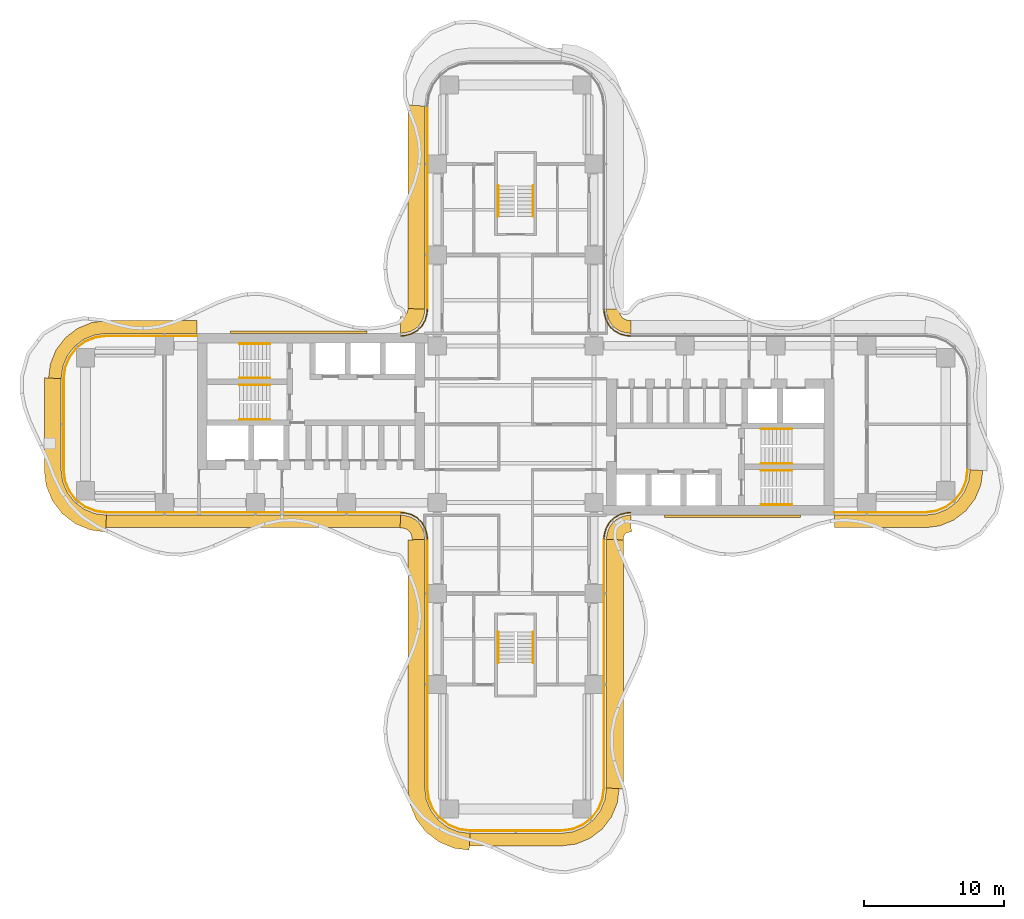
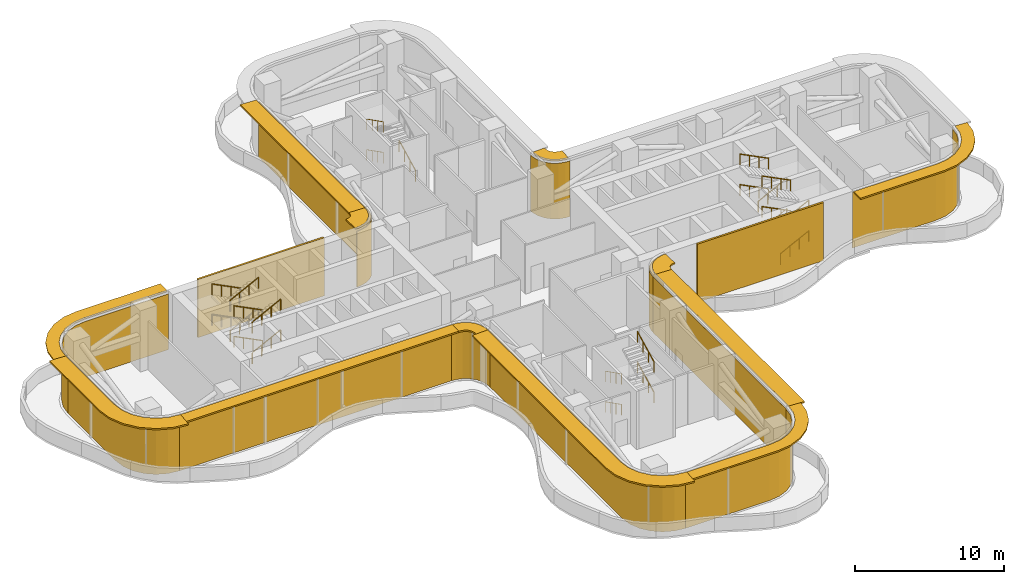
# One storey, part 19 of 20: 23 railings, 14 coverings, 12 shading devices, 12 elements without a shape of their own.
"""IFC4 building model written with IfcOpenShell, lengths in metres."""

import ifcopenshell
import ifcopenshell.guid

model = None  # the IFC model being written
_history = None  # IfcOwnerHistory: only IFC2X3 demands one
_inside = {}  # id of a spatial element -> (the spatial element, [elements in it])
_under = {}  # id of a project, library or spatial element -> (it, [spatial elements below it])
_declared = {}  # id of a project -> (the project, [libraries it declares])
_typed = {}  # id of a type object -> (the type object, [elements of that type])
_made_of = {}  # id of a material, layer set ... -> (it, [elements and type objects made of it])


def new_model(schema):
    """Start an empty IFC model of exactly this schema.

    Asked for "IFC4X3", IfcOpenShell would pick the latest addendum, in which some entities
    have other attributes; the version numbers below select the first issue.
    IFC2X3 requires an IfcOwnerHistory on every rooted entity: one is made here for all.
    """
    global model, _history
    if schema == "IFC4X3":
        model = ifcopenshell.file(schema_version=(4, 3, 0, 0))
    else:
        model = ifcopenshell.file(schema=schema)
    _inside.clear()
    _under.clear()
    _declared.clear()
    _typed.clear()
    _made_of.clear()
    _history = None
    if model.schema == "IFC2X3":
        org = make("IfcOrganization", Name="unknown")
        user = make(
            "IfcPersonAndOrganization",
            ThePerson=make("IfcPerson", FamilyName="unknown"),
            TheOrganization=org,
        )
        app = make(
            "IfcApplication",
            ApplicationDeveloper=org,
            Version="unknown",
            ApplicationFullName="unknown",
            ApplicationIdentifier="unknown",
        )
        _history = make(
            "IfcOwnerHistory",
            OwningUser=user,
            OwningApplication=app,
            ChangeAction="ADDED",
            CreationDate=0,
        )
    return model


def make(cls, **values):
    """One entity of the class cls with the attributes given. An attribute that is None is left unset."""
    return model.create_entity(
        cls, **{name: value for name, value in values.items() if value is not None}
    )


def rooted(cls, **values):
    """An entity with a GlobalId (a new one), such as an element, a storey or a relation."""
    return make(cls, GlobalId=ifcopenshell.guid.new(), OwnerHistory=_history, **values)


def si_unit(unit_type, name, prefix=None):
    """IfcSIUnit, for example si_unit("LENGTHUNIT", "METRE", prefix="MILLI")."""
    return make("IfcSIUnit", UnitType=unit_type, Prefix=prefix, Name=name)


def assignment(units):
    """IfcUnitAssignment: the units of a project."""
    return None if units is None else make("IfcUnitAssignment", Units=units)


def point(xyz):
    """IfcCartesianPoint."""
    return None if xyz is None else make("IfcCartesianPoint", Coordinates=xyz)


def direction(xyz):
    """IfcDirection."""
    return None if xyz is None else make("IfcDirection", DirectionRatios=xyz)


def frame(location, z_axis=None, x_axis=None):
    """IfcAxis2Placement3D, a coordinate frame: its origin and axes. An axis left out is left unset."""
    return make(
        "IfcAxis2Placement3D",
        Location=point(location),
        Axis=direction(z_axis),
        RefDirection=direction(x_axis),
    )


def frame_2d(location, x_axis=None):
    """IfcAxis2Placement2D, a coordinate frame in the plane: its origin and x axis."""
    return make(
        "IfcAxis2Placement2D", Location=point(location), RefDirection=direction(x_axis)
    )


def origin():
    """The frame at (0, 0, 0) with its axes left unset."""
    return frame((0.0, 0.0, 0.0))


def origin_2d():
    """The frame at (0, 0) in the plane with its x axis left unset."""
    return frame_2d((0.0, 0.0))


def place(relative_to, where):
    """IfcLocalPlacement: puts the frame where relative to a parent placement (None: the world)."""
    return make(
        "IfcLocalPlacement", PlacementRelTo=relative_to, RelativePlacement=where
    )


def context(
    kind, dimensions, precision=None, world=None, true_north=None, identifier=None
):
    """IfcGeometricRepresentationContext, for example the 3D "Model" context."""
    return make(
        "IfcGeometricRepresentationContext",
        ContextIdentifier=identifier,
        ContextType=kind,
        CoordinateSpaceDimension=dimensions,
        Precision=precision,
        WorldCoordinateSystem=world,
        TrueNorth=true_north,
    )


def subcontext(parent, identifier, kind, view, scale=None):
    """IfcGeometricRepresentationSubContext, for example "Body" below "Model"."""
    return make(
        "IfcGeometricRepresentationSubContext",
        ContextIdentifier=identifier,
        ContextType=kind,
        ParentContext=parent,
        TargetScale=scale,
        TargetView=view,
    )


def project(units=None, contexts=None):
    """IfcProject with its units and contexts."""
    return rooted(
        "IfcProject",
        Name="project",
        RepresentationContexts=contexts,
        UnitsInContext=assignment(units),
    )


def spatial(cls, under=None, at=None, **own):
    """A site, building, storey or space (cls), placed at a placement, below another one or the project."""
    s = rooted(cls, ObjectPlacement=at, **own)
    if under is not None:
        _under.setdefault(under.id(), (under, []))[1].append(s)
    return s


def polyline(points):
    """IfcPolyline through the points."""
    return make("IfcPolyline", Points=[point(p) for p in points])


def profile(cls, at=None, kind="AREA", **sizes):
    """A parametric profile (cls). Its sizes go by their IFC names, for example OverallWidth=200.0."""
    return make(cls, ProfileType=kind, Position=at, **sizes)


def circle(**sizes):
    """IfcCircleProfileDef."""
    return profile("IfcCircleProfileDef", **sizes)


def outline(outer, holes=None, kind="AREA"):
    """IfcArbitraryClosedProfileDef: a profile drawn as a closed curve; with holes, ...WithVoids."""
    if holes is None:
        return make("IfcArbitraryClosedProfileDef", ProfileType=kind, OuterCurve=outer)
    return make(
        "IfcArbitraryProfileDefWithVoids",
        ProfileType=kind,
        OuterCurve=outer,
        InnerCurves=holes,
    )


def extrude(swept, where, along, depth):
    """IfcExtrudedAreaSolid: the profile swept, set in the frame where, extruded along a direction by depth."""
    return make(
        "IfcExtrudedAreaSolid",
        SweptArea=swept,
        Position=where,
        ExtrudedDirection=direction(along),
        Depth=depth,
    )


def shape(context_of_items, identifier, shape_type, items):
    """IfcShapeRepresentation: the items that make up one representation, for example the "Body"."""
    return make(
        "IfcShapeRepresentation",
        ContextOfItems=context_of_items,
        RepresentationIdentifier=identifier,
        RepresentationType=shape_type,
        Items=items,
    )


def source(mapping_origin, context_of_items, identifier, shape_type, items):
    """IfcRepresentationMap: a shape defined once, which mapped items show again and again."""
    return make(
        "IfcRepresentationMap",
        MappingOrigin=mapping_origin,
        MappedRepresentation=shape(context_of_items, identifier, shape_type, items),
    )


def transform(
    local_origin,
    x_axis=None,
    y_axis=None,
    z_axis=None,
    scale=None,
    scale2=None,
    scale3=None,
    uniform=True,
):
    """IfcCartesianTransformationOperator3D, or its non-uniform kind. x_axis, y_axis, z_axis: its Axis1, 2, 3."""
    if uniform:
        return make(
            "IfcCartesianTransformationOperator3D",
            Axis1=direction(x_axis),
            Axis2=direction(y_axis),
            LocalOrigin=point(local_origin),
            Scale=scale,
            Axis3=direction(z_axis),
        )
    return make(
        "IfcCartesianTransformationOperator3DnonUniform",
        Axis1=direction(x_axis),
        Axis2=direction(y_axis),
        LocalOrigin=point(local_origin),
        Scale=scale,
        Axis3=direction(z_axis),
        Scale2=scale2,
        Scale3=scale3,
    )


def mapped(mapping_source, mapping_target):
    """IfcMappedItem: shows the shape of a source again, moved by a transform."""
    return make(
        "IfcMappedItem", MappingSource=mapping_source, MappingTarget=mapping_target
    )


def material(Name=None, Category=None):
    """IfcMaterial."""
    return make("IfcMaterial", Name=Name, Category=Category)


def layer(
    of_material, thickness, ventilated=None, Name=None, Category=None, Priority=None
):
    """IfcMaterialLayer: one layer of a wall or slab, of a material (None: an air gap)."""
    return make(
        "IfcMaterialLayer",
        Material=of_material,
        LayerThickness=thickness,
        IsVentilated=ventilated,
        Name=Name,
        Category=Category,
        Priority=Priority,
    )


def layer_set(layers, Name=None):
    """IfcMaterialLayerSet."""
    return make("IfcMaterialLayerSet", MaterialLayers=layers, LayerSetName=Name)


def made_of(thing, what):
    """Note that an element or type object is made of a material, layer set ...; save() writes the relation."""
    if what is not None:
        _made_of.setdefault(what.id(), (what, []))[1].append(thing)
    return thing


def type_object(cls, material=None, **own):
    """A type object (cls), such as IfcWallType, which elements share."""
    return made_of(rooted(cls, **own), material)


def element(
    cls,
    number,
    at=None,
    inside=None,
    cuts=None,
    type_object=None,
    material=None,
    context=None,
    identifier="Body",
    shape_type=None,
    held_by="IfcProductDefinitionShape",
    body=None,
    shapes=None,
    **own,
):
    """One element of the class cls, such as IfcWall. Its Tag is "e" and its number.

    at: its placement. inside: the storey or other place that contains it. cuts: it is an
    opening in that element (IfcRelVoidsElement). A single representation is given by context,
    identifier, shape_type and body (its items); several are given by shapes. held_by: the class
    of the entity that holds the representations. save() writes the other relations.
    """
    e = rooted(cls, Tag="e%d" % number, ObjectPlacement=at, **own)
    if body is not None:
        shapes = [shape(context, identifier, shape_type, body)]
    if shapes is not None:
        e.Representation = make(held_by, Representations=shapes)
    if inside is not None:
        _inside.setdefault(inside.id(), (inside, []))[1].append(e)
    if cuts is not None:
        rooted(
            "IfcRelVoidsElement", RelatingBuildingElement=cuts, RelatedOpeningElement=e
        )
    if type_object is not None:
        _typed.setdefault(type_object.id(), (type_object, []))[1].append(e)
    return made_of(e, material)


def aggregate(whole, parts):
    """IfcRelAggregates: a whole, such as a stair, and the parts it consists of."""
    return rooted("IfcRelAggregates", RelatingObject=whole, RelatedObjects=parts)


def save(model, path):
    """Write the relations noted so far, then the file.

    IfcRelAggregates (storeys below a building ...), IfcRelContainedInSpatialStructure (elements
    in a storey), IfcRelDefinesByType, IfcRelAssociatesMaterial and IfcRelDeclares: one each for
    every whole, place, type object, material and project.
    """
    for whole, parts in _under.values():
        aggregate(whole, parts)
    for where, things in _inside.values():
        rooted(
            "IfcRelContainedInSpatialStructure",
            RelatedElements=things,
            RelatingStructure=where,
        )
    for kind, things in _typed.values():
        rooted("IfcRelDefinesByType", RelatedObjects=things, RelatingType=kind)
    for what, things in _made_of.values():
        rooted("IfcRelAssociatesMaterial", RelatedObjects=things, RelatingMaterial=what)
    for by, libraries in _declared.values():
        rooted("IfcRelDeclares", RelatingContext=by, RelatedDefinitions=libraries)
    model.write(path)


model = new_model("IFC4")

# Units and contexts
model_context = context("Model", 3, precision=1e-05, world=origin(), true_north=direction((0.0, 1.0)))
body_context = subcontext(model_context, "Body", "Model", "MODEL_VIEW")
ifc_project = project(units=[si_unit("LENGTHUNIT", "METRE"), si_unit("AREAUNIT", "SQUARE_METRE"), si_unit("VOLUMEUNIT", "CUBIC_METRE"), si_unit("PLANEANGLEUNIT", "RADIAN"), si_unit("MASSUNIT", "GRAM", prefix="KILO")], contexts=[model_context])

# Site, building, storey
site_placement = place(None, origin())
site = spatial("IfcSite", under=ifc_project, at=site_placement, CompositionType="ELEMENT")
building_placement = place(site_placement, origin())
building = spatial("IfcBuilding", under=site, at=building_placement, Name="Trellis Farm Tower", CompositionType="ELEMENT")
storey_placement = place(building_placement, frame((0.0, 0.0, 92.5)))
storey = spatial("IfcBuildingStorey", under=building, at=storey_placement, Name="L19", CompositionType="ELEMENT", Elevation=92.5)

# Coverings
ifc_material_1 = material(Name="Perforated precast screen (cobogo)", Category="concrete")
ifc_layer_1 = layer(ifc_material_1, 0.14990234375)
ifc_layer_set_1 = layer_set([ifc_layer_1], Name="COBOGO SCREEN PANEL")
covering_type_1 = type_object("IfcCoveringType", Name="COBOGO SCREEN PANEL", PredefinedType="USERDEFINED", material=ifc_layer_set_1)
placement_1 = place(storey_placement, origin())
element("IfcCovering", 1, at=placement_1, inside=storey, type_object=covering_type_1, Name="SC1 01", ObjectType="SCREEN", PredefinedType="USERDEFINED", context=body_context, shape_type="SweptSolid", body=[
    extrude(outline(polyline([(10.630615234375, -6.64990234375), (20.380615234375, -6.64990234375), (20.380615234375, -6.5), (10.630615234375, -6.5), (10.630615234375, -6.64990234375)])), origin(), (0.0, 0.0, 1.0), 4.75),
])
element("IfcCovering", 2, at=placement_1, inside=storey, type_object=covering_type_1, Name="SC1 02", ObjectType="SCREEN", PredefinedType="USERDEFINED", context=body_context, shape_type="SweptSolid", body=[
    extrude(outline(polyline([(-10.630615234375, 6.64990234375), (-20.380615234375, 6.64990234375), (-20.380615234375, 6.5), (-10.630615234375, 6.5), (-10.630615234375, 6.64990234375)])), origin(), (0.0, 0.0, 1.0), 4.75),
])

# Curtain wall, covering
ifc_material_2 = material(Name="Aluminium and glass curtain wall", Category="aluminium")
ifc_layer_2 = layer(ifc_material_2, 0.196044921875)
ifc_layer_set_2 = layer_set([ifc_layer_2], Name="LOUVRED GLASS CURTAIN WALL CW6")
curtain_wall_type = type_object("IfcCurtainWallType", Name="LOUVRED GLASS CURTAIN WALL CW6", PredefinedType="NOTDEFINED", material=ifc_layer_set_2)
curtain_wall_1 = element("IfcCurtainWall", 3, at=placement_1, inside=storey, type_object=curtain_wall_type, Name="CW6 001", PredefinedType="NOTDEFINED")
ifc_material_3 = material(Name="Anodised aluminium louvre", Category="aluminium")
ifc_layer_3 = layer(ifc_material_3, 0.050048828125)
ifc_layer_set_3 = layer_set([ifc_layer_3], Name="CW6 LOUVRE BANK 50")
covering_type_2 = type_object("IfcCoveringType", Name="CW6 LOUVRE BANK 50", PredefinedType="USERDEFINED", material=ifc_layer_set_3)
covering_3 = element("IfcCovering", 4, at=placement_1, type_object=covering_type_2, Name="LV1 001", ObjectType="LOUVRE", PredefinedType="USERDEFINED", context=body_context, shape_type="SweptSolid", body=[
    extrude(outline(polyline([(-29.239501953125, -6.340087890625), (-8.22607421875, -6.340087890625), (-8.224609375, -6.2900390625), (-29.236328125, -6.2900390625), (-29.239501953125, -6.340087890625)])), origin(), (0.0, 0.0, 1.0), 4.550048828125),
])
aggregate(curtain_wall_1, [covering_3])

curtain_wall_2 = element("IfcCurtainWall", 5, at=placement_1, inside=storey, type_object=curtain_wall_type, Name="CW6 002", PredefinedType="NOTDEFINED")
covering_4 = element("IfcCovering", 6, at=placement_1, type_object=covering_type_2, Name="LV1 002", ObjectType="LOUVRE", PredefinedType="USERDEFINED", context=body_context, shape_type="SweptSolid", body=[
    extrude(outline(polyline([(-8.22607421875, -6.340087890625), (-8.00390625, -6.3544921875), (-7.88427734375, -6.370361328125), (-7.44677734375, -6.487548828125), (-7.046142578125, -6.718994140625), (-6.718994140625, -7.046142578125), (-6.487548828125, -7.44677734375), (-6.370361328125, -7.88427734375), (-6.3544921875, -8.00390625), (-6.340087890625, -8.22607421875), (-6.2900390625, -8.224609375), (-6.3046875, -7.9990234375), (-6.321044921875, -7.87451171875), (-6.44091796875, -7.427490234375), (-6.678955078125, -7.015380859375), (-7.015380859375, -6.678955078125), (-7.427490234375, -6.44091796875), (-7.87451171875, -6.321044921875), (-7.9990234375, -6.3046875), (-8.224609375, -6.2900390625), (-8.22607421875, -6.340087890625)])), origin(), (0.0, 0.0, 1.0), 4.550048828125),
])
aggregate(curtain_wall_2, [covering_4])

curtain_wall_3 = element("IfcCurtainWall", 7, at=placement_1, inside=storey, type_object=curtain_wall_type, Name="CW6 003", PredefinedType="NOTDEFINED")
covering_5 = element("IfcCovering", 8, at=placement_1, type_object=covering_type_2, Name="LV1 003", ObjectType="LOUVRE", PredefinedType="USERDEFINED", context=body_context, shape_type="SweptSolid", body=[
    extrude(outline(polyline([(-6.340087890625, -8.22607421875), (-6.340087890625, -25.989501953125), (-6.2333984375, -26.79931640625), (-5.9248046875, -27.544189453125), (-5.43408203125, -28.18408203125), (-4.794189453125, -28.6748046875), (-4.04931640625, -28.9833984375), (-3.239501953125, -29.090087890625), (-3.236328125, -29.0400390625), (-4.036376953125, -28.9345703125), (-4.76904296875, -28.631103515625), (-5.3984375, -28.1484375), (-5.881103515625, -27.51904296875), (-6.1845703125, -26.786376953125), (-6.2900390625, -25.986328125), (-6.2900390625, -8.224609375), (-6.340087890625, -8.22607421875)])), origin(), (0.0, 0.0, 1.0), 4.550048828125),
])
aggregate(curtain_wall_3, [covering_5])

curtain_wall_4 = element("IfcCurtainWall", 9, at=placement_1, inside=storey, type_object=curtain_wall_type, Name="CW6 004", PredefinedType="NOTDEFINED")
covering_6 = element("IfcCovering", 10, at=placement_1, type_object=covering_type_2, Name="LV1 004", ObjectType="LOUVRE", PredefinedType="USERDEFINED", context=body_context, shape_type="SweptSolid", body=[
    extrude(outline(polyline([(-3.239501953125, -29.090087890625), (3.239501953125, -29.090087890625), (4.04931640625, -28.9833984375), (4.794189453125, -28.6748046875), (5.43408203125, -28.18408203125), (5.9248046875, -27.544189453125), (6.2333984375, -26.79931640625), (6.340087890625, -25.989501953125), (6.2900390625, -25.986328125), (6.1845703125, -26.786376953125), (5.881103515625, -27.51904296875), (5.3984375, -28.1484375), (4.76904296875, -28.631103515625), (4.036376953125, -28.9345703125), (3.236328125, -29.0400390625), (-3.236328125, -29.0400390625), (-3.239501953125, -29.090087890625)])), origin(), (0.0, 0.0, 1.0), 4.550048828125),
])
aggregate(curtain_wall_4, [covering_6])

curtain_wall_5 = element("IfcCurtainWall", 11, at=placement_1, inside=storey, type_object=curtain_wall_type, Name="CW6 005", PredefinedType="NOTDEFINED")
covering_7 = element("IfcCovering", 12, at=placement_1, type_object=covering_type_2, Name="LV1 005", ObjectType="LOUVRE", PredefinedType="USERDEFINED", context=body_context, shape_type="SweptSolid", body=[
    extrude(outline(polyline([(6.340087890625, -25.989501953125), (6.340087890625, -8.22607421875), (6.2900390625, -8.224609375), (6.2900390625, -25.986328125), (6.340087890625, -25.989501953125)])), origin(), (0.0, 0.0, 1.0), 4.550048828125),
])
aggregate(curtain_wall_5, [covering_7])

curtain_wall_6 = element("IfcCurtainWall", 13, at=placement_1, inside=storey, type_object=curtain_wall_type, Name="CW6 006", PredefinedType="NOTDEFINED")
covering_8 = element("IfcCovering", 14, at=placement_1, type_object=covering_type_2, Name="LV1 006", ObjectType="LOUVRE", PredefinedType="USERDEFINED", context=body_context, shape_type="SweptSolid", body=[
    extrude(outline(polyline([(6.340087890625, -8.22607421875), (6.3544921875, -8.00390625), (6.370361328125, -7.88427734375), (6.487548828125, -7.44677734375), (6.718994140625, -7.046142578125), (7.046142578125, -6.718994140625), (7.44677734375, -6.487548828125), (7.88427734375, -6.370361328125), (8.00390625, -6.3544921875), (8.22607421875, -6.340087890625), (8.224609375, -6.2900390625), (7.9990234375, -6.3046875), (7.87451171875, -6.321044921875), (7.427490234375, -6.44091796875), (7.015380859375, -6.678955078125), (6.678955078125, -7.015380859375), (6.44091796875, -7.427490234375), (6.321044921875, -7.87451171875), (6.3046875, -7.9990234375), (6.2900390625, -8.224609375), (6.340087890625, -8.22607421875)])), origin(), (0.0, 0.0, 1.0), 4.550048828125),
])
aggregate(curtain_wall_6, [covering_8])

curtain_wall_7 = element("IfcCurtainWall", 15, at=placement_1, inside=storey, type_object=curtain_wall_type, Name="CW6 007", PredefinedType="NOTDEFINED")
covering_9 = element("IfcCovering", 16, at=placement_1, type_object=covering_type_2, Name="LV1 007", ObjectType="LOUVRE", PredefinedType="USERDEFINED", context=body_context, shape_type="SweptSolid", body=[
    extrude(outline(polyline([(22.780029296875, -6.340087890625), (29.239501953125, -6.340087890625), (30.04931640625, -6.2333984375), (30.794189453125, -5.9248046875), (31.43408203125, -5.43408203125), (31.9248046875, -4.794189453125), (32.2333984375, -4.04931640625), (32.340087890625, -3.239501953125), (32.2900390625, -3.236328125), (32.1845703125, -4.036376953125), (31.881103515625, -4.76904296875), (31.3984375, -5.3984375), (30.76904296875, -5.881103515625), (30.036376953125, -6.1845703125), (29.236328125, -6.2900390625), (22.780029296875, -6.2900390625), (22.780029296875, -6.340087890625)])), origin(), (0.0, 0.0, 1.0), 4.550048828125),
])
aggregate(curtain_wall_7, [covering_9])

curtain_wall_8 = element("IfcCurtainWall", 17, at=placement_1, inside=storey, type_object=curtain_wall_type, Name="CW6 010", PredefinedType="NOTDEFINED")
covering_10 = element("IfcCovering", 18, at=placement_1, type_object=covering_type_2, Name="LV1 010", ObjectType="LOUVRE", PredefinedType="USERDEFINED", context=body_context, shape_type="SweptSolid", body=[
    extrude(outline(polyline([(8.22607421875, 6.340087890625), (8.00390625, 6.3544921875), (7.88427734375, 6.370361328125), (7.44677734375, 6.487548828125), (7.046142578125, 6.718994140625), (6.718994140625, 7.046142578125), (6.487548828125, 7.44677734375), (6.370361328125, 7.88427734375), (6.3544921875, 8.00390625), (6.340087890625, 8.22607421875), (6.2900390625, 8.224609375), (6.3046875, 7.9990234375), (6.321044921875, 7.87451171875), (6.44091796875, 7.427490234375), (6.678955078125, 7.015380859375), (7.015380859375, 6.678955078125), (7.427490234375, 6.44091796875), (7.87451171875, 6.321044921875), (7.9990234375, 6.3046875), (8.224609375, 6.2900390625), (8.22607421875, 6.340087890625)])), origin(), (0.0, 0.0, 1.0), 4.550048828125),
])
aggregate(curtain_wall_8, [covering_10])

curtain_wall_9 = element("IfcCurtainWall", 19, at=placement_1, inside=storey, type_object=curtain_wall_type, Name="CW6 013", PredefinedType="NOTDEFINED")
covering_11 = element("IfcCovering", 20, at=placement_1, type_object=covering_type_2, Name="LV1 013", ObjectType="LOUVRE", PredefinedType="USERDEFINED", context=body_context, shape_type="SweptSolid", body=[
    extrude(outline(polyline([(-6.340087890625, 22.739501953125), (-6.340087890625, 8.22607421875), (-6.2900390625, 8.224609375), (-6.2900390625, 22.736328125), (-6.340087890625, 22.739501953125)])), origin(), (0.0, 0.0, 1.0), 4.550048828125),
])
aggregate(curtain_wall_9, [covering_11])

curtain_wall_10 = element("IfcCurtainWall", 21, at=placement_1, inside=storey, type_object=curtain_wall_type, Name="CW6 014", PredefinedType="NOTDEFINED")
covering_12 = element("IfcCovering", 22, at=placement_1, type_object=covering_type_2, Name="LV1 014", ObjectType="LOUVRE", PredefinedType="USERDEFINED", context=body_context, shape_type="SweptSolid", body=[
    extrude(outline(polyline([(-6.340087890625, 8.22607421875), (-6.3544921875, 8.00390625), (-6.370361328125, 7.88427734375), (-6.487548828125, 7.44677734375), (-6.718994140625, 7.046142578125), (-7.046142578125, 6.718994140625), (-7.44677734375, 6.487548828125), (-7.88427734375, 6.370361328125), (-8.00390625, 6.3544921875), (-8.22607421875, 6.340087890625), (-8.224609375, 6.2900390625), (-7.9990234375, 6.3046875), (-7.87451171875, 6.321044921875), (-7.427490234375, 6.44091796875), (-7.015380859375, 6.678955078125), (-6.678955078125, 7.015380859375), (-6.44091796875, 7.427490234375), (-6.321044921875, 7.87451171875), (-6.3046875, 7.9990234375), (-6.2900390625, 8.224609375), (-6.340087890625, 8.22607421875)])), origin(), (0.0, 0.0, 1.0), 4.550048828125),
])
aggregate(curtain_wall_10, [covering_12])

curtain_wall_11 = element("IfcCurtainWall", 23, at=placement_1, inside=storey, type_object=curtain_wall_type, Name="CW6 015", PredefinedType="NOTDEFINED")
covering_13 = element("IfcCovering", 24, at=placement_1, type_object=covering_type_2, Name="LV1 015", ObjectType="LOUVRE", PredefinedType="USERDEFINED", context=body_context, shape_type="SweptSolid", body=[
    extrude(outline(polyline([(-22.780029296875, 6.340087890625), (-29.239501953125, 6.340087890625), (-30.04931640625, 6.2333984375), (-30.794189453125, 5.9248046875), (-31.43408203125, 5.43408203125), (-31.9248046875, 4.794189453125), (-32.2333984375, 4.04931640625), (-32.340087890625, 3.239501953125), (-32.2900390625, 3.236328125), (-32.1845703125, 4.036376953125), (-31.881103515625, 4.76904296875), (-31.3984375, 5.3984375), (-30.76904296875, 5.881103515625), (-30.036376953125, 6.1845703125), (-29.236328125, 6.2900390625), (-22.780029296875, 6.2900390625), (-22.780029296875, 6.340087890625)])), origin(), (0.0, 0.0, 1.0), 4.550048828125),
])
aggregate(curtain_wall_11, [covering_13])

curtain_wall_12 = element("IfcCurtainWall", 25, at=placement_1, inside=storey, type_object=curtain_wall_type, Name="CW6 016", PredefinedType="NOTDEFINED")
covering_14 = element("IfcCovering", 26, at=placement_1, type_object=covering_type_2, Name="LV1 016", ObjectType="LOUVRE", PredefinedType="USERDEFINED", context=body_context, shape_type="SweptSolid", body=[
    extrude(outline(polyline([(-32.340087890625, 3.239501953125), (-32.340087890625, -3.239501953125), (-32.2333984375, -4.04931640625), (-31.9248046875, -4.794189453125), (-31.43408203125, -5.43408203125), (-30.794189453125, -5.9248046875), (-30.04931640625, -6.2333984375), (-29.239501953125, -6.340087890625), (-29.236328125, -6.2900390625), (-30.036376953125, -6.1845703125), (-30.76904296875, -5.881103515625), (-31.3984375, -5.3984375), (-31.881103515625, -4.76904296875), (-32.1845703125, -4.036376953125), (-32.2900390625, -3.236328125), (-32.2900390625, 3.236328125), (-32.340087890625, 3.239501953125)])), origin(), (0.0, 0.0, 1.0), 4.550048828125),
])
aggregate(curtain_wall_12, [covering_14])

# Railings
ifc_material_4 = material(Name="Stainless steel", Category="steel")
railing_type = type_object("IfcRailingType", Name="STAIR HANDRAIL 900", PredefinedType="HANDRAIL", material=ifc_material_4)
shared_shape_1 = source(origin(), body_context, "Body", "SweptSolid", [
    extrude(circle(Radius=0.02392578125, at=origin_2d()), frame((0.0, 0.0, 0.8759765625), z_axis=(0.0, 0.892617056473, 0.450815694596), x_axis=(-1.0, 0.0, 0.0)), (0.0, 0.0, 1.0), 2.464599609375),
    extrude(circle(Radius=0.02099609375, at=origin_2d()), origin(), (0.0, 0.0, 1.0), 0.851806640625),
    extrude(circle(Radius=0.02099609375, at=origin_2d()), frame((0.0, 0.7333984375, 0.370361328125)), (0.0, 0.0, 1.0), 0.851806640625),
    extrude(circle(Radius=0.02099609375, at=origin_2d()), frame((0.0, 1.466552734375, 0.74072265625)), (0.0, 0.0, 1.0), 0.851806640625),
    extrude(circle(Radius=0.02099609375, at=origin_2d()), frame((0.0, 2.199951171875, 1.111083984375)), (0.0, 0.0, 1.0), 0.851806640625),
])
for number, where, name in (
    (27, (1.25, 14.85009765625, 0.138916015625), "Stair handrail"),
    (28, (1.25, -17.050048828125, 1.388916015625), "Stair handrail"),
    (29, (1.25, -17.050048828125, 3.888916015625), "Stair handrail"),
):
    element("IfcRailing", number, at=place(storey_placement, frame(where)), inside=storey, type_object=railing_type, Name=name, PredefinedType="HANDRAIL", context=body_context, shape_type="MappedRepresentation", body=[
        mapped(shared_shape_1, transform((0.0, 0.0, 0.0))),
    ])
shared_shape_2 = source(origin(), body_context, "Body", "SweptSolid", [
    extrude(circle(Radius=0.02392578125, at=origin_2d()), frame((0.0, 0.0, 0.8759765625), z_axis=(0.0, -0.892617056473, 0.450815694596), x_axis=(1.0, 0.0, 0.0)), (0.0, 0.0, 1.0), 2.464599609375),
    extrude(circle(Radius=0.02099609375, at=origin_2d()), origin(), (0.0, 0.0, 1.0), 0.851806640625),
    extrude(circle(Radius=0.02099609375, at=origin_2d()), frame((0.0, -0.7333984375, 0.370361328125)), (0.0, 0.0, 1.0), 0.851806640625),
    extrude(circle(Radius=0.02099609375, at=origin_2d()), frame((0.0, -1.466552734375, 0.74072265625)), (0.0, 0.0, 1.0), 0.851806640625),
    extrude(circle(Radius=0.02099609375, at=origin_2d()), frame((0.0, -2.199951171875, 1.111083984375)), (0.0, 0.0, 1.0), 0.851806640625),
])
for number, where, name in (
    (30, (-1.25, 17.050048828125, 1.388916015625), "Stair handrail"),
    (31, (-1.25, 17.050048828125, 3.888916015625), "Stair handrail"),
    (32, (-1.25, -14.85009765625, 0.138916015625), "Stair handrail"),
    (33, (-1.25, -14.85009765625, 2.638916015625), "Stair handrail"),
):
    element("IfcRailing", number, at=place(storey_placement, frame(where)), inside=storey, type_object=railing_type, Name=name, PredefinedType="HANDRAIL", context=body_context, shape_type="MappedRepresentation", body=[
        mapped(shared_shape_2, transform((0.0, 0.0, 0.0))),
    ])
shared_shape_3 = source(origin(), body_context, "Body", "SweptSolid", [
    extrude(circle(Radius=0.02392578125, at=origin_2d()), frame((0.0, 0.0, 0.8759765625), z_axis=(0.892617056473, 0.0, 0.450815694596), x_axis=(0.0, 1.0, 0.0)), (0.0, 0.0, 1.0), 2.464599609375),
    extrude(circle(Radius=0.02099609375, at=origin_2d()), origin(), (0.0, 0.0, 1.0), 0.851806640625),
    extrude(circle(Radius=0.02099609375, at=origin_2d()), frame((0.7333984375, 0.0, 0.370361328125)), (0.0, 0.0, 1.0), 0.851806640625),
    extrude(circle(Radius=0.02099609375, at=origin_2d()), frame((1.466552734375, 0.0, 0.74072265625)), (0.0, 0.0, 1.0), 0.851806640625),
    extrude(circle(Radius=0.02099609375, at=origin_2d()), frame((2.199951171875, 0.0, 1.111083984375)), (0.0, 0.0, 1.0), 0.851806640625),
])
for number, where, name in (
    (34, (17.550048828125, -5.75, 0.138916015625), "Stair handrail"),
    (35, (17.550048828125, -5.75, 2.638916015625), "Stair handrail"),
    (36, (17.550048828125, -2.800048828125, 0.138916015625), "Stair handrail"),
    (37, (17.550048828125, -2.800048828125, 2.638916015625), "Stair handrail"),
    (38, (-19.75, 3.300048828125, 1.388916015625), "Stair handrail"),
    (39, (-19.75, 3.300048828125, 3.888916015625), "Stair handrail"),
    (40, (-19.75, 0.35009765625, 1.388916015625), "Stair handrail"),
    (41, (-19.75, 0.35009765625, 3.888916015625), "Stair handrail"),
):
    element("IfcRailing", number, at=place(storey_placement, frame(where)), inside=storey, type_object=railing_type, Name=name, PredefinedType="HANDRAIL", context=body_context, shape_type="MappedRepresentation", body=[
        mapped(shared_shape_3, transform((0.0, 0.0, 0.0))),
    ])
shared_shape_4 = source(origin(), body_context, "Body", "SweptSolid", [
    extrude(circle(Radius=0.02392578125, at=origin_2d()), frame((0.0, 0.0, 0.8759765625), z_axis=(-0.892617056473, 0.0, 0.450815694596), x_axis=(0.0, -1.0, 0.0)), (0.0, 0.0, 1.0), 2.464599609375),
    extrude(circle(Radius=0.02099609375, at=origin_2d()), origin(), (0.0, 0.0, 1.0), 0.851806640625),
    extrude(circle(Radius=0.02099609375, at=origin_2d()), frame((-0.7333984375, 0.0, 0.370361328125)), (0.0, 0.0, 1.0), 0.851806640625),
    extrude(circle(Radius=0.02099609375, at=origin_2d()), frame((-1.466552734375, 0.0, 0.74072265625)), (0.0, 0.0, 1.0), 0.851806640625),
    extrude(circle(Radius=0.02099609375, at=origin_2d()), frame((-2.199951171875, 0.0, 1.111083984375)), (0.0, 0.0, 1.0), 0.851806640625),
])
for number, where, name in (
    (42, (19.75, -3.300048828125, 1.388916015625), "Stair handrail"),
    (43, (19.75, -3.300048828125, 3.888916015625), "Stair handrail"),
    (44, (19.75, -0.35009765625, 1.388916015625), "Stair handrail"),
    (45, (19.75, -0.35009765625, 3.888916015625), "Stair handrail"),
    (46, (-17.550048828125, 5.75, 0.138916015625), "Stair handrail"),
    (47, (-17.550048828125, 5.75, 2.638916015625), "Stair handrail"),
    (48, (-17.550048828125, 2.800048828125, 0.138916015625), "Stair handrail"),
    (49, (-17.550048828125, 2.800048828125, 2.638916015625), "Stair handrail"),
):
    element("IfcRailing", number, at=place(storey_placement, frame(where)), inside=storey, type_object=railing_type, Name=name, PredefinedType="HANDRAIL", context=body_context, shape_type="MappedRepresentation", body=[
        mapped(shared_shape_4, transform((0.0, 0.0, 0.0))),
    ])

# Shading devices
ifc_material_5 = material(Name="Aluminium extrusion 6063-T6", Category="aluminium")
ifc_layer_4 = layer(ifc_material_5, 0.1201171875)
ifc_layer_set_4 = layer_set([ifc_layer_4], Name="SUNSHADE BLADE 900")
shading_device_type_1 = type_object("IfcShadingDeviceType", Name="SUNSHADE BLADE 900", PredefinedType="USERDEFINED", material=ifc_layer_set_4)
shared_shape_5 = source(origin(), body_context, "Body", "SweptSolid", [
    extrude(outline(polyline([(-29.30908203125, -7.39990234375), (-8.2607421875, -7.39990234375), (-8.2314453125, -6.5), (-29.25, -6.5), (-29.30908203125, -7.39990234375)])), origin(), (0.0, 0.0, 1.0), 0.119873046875),
])
placement_2 = place(storey_placement, frame((0.0, 0.0, 4.590087890625)))
element("IfcShadingDevice", 50, at=placement_2, inside=storey, type_object=shading_device_type_1, Name="SD1 001", ObjectType="SUNSHADE", PredefinedType="USERDEFINED", context=body_context, shape_type="MappedRepresentation", body=[
    mapped(shared_shape_5, transform((0.0, 0.0, 0.0))),
])
shared_shape_6 = source(origin(), body_context, "Body", "SweptSolid", [
    extrude(outline(polyline([(-8.2607421875, -7.39990234375), (-8.107666015625, -7.409912109375), (-8.091552734375, -7.412109375), (-7.85595703125, -7.475341796875), (-7.697021484375, -7.567138671875), (-7.567138671875, -7.697021484375), (-7.475341796875, -7.85595703125), (-7.412109375, -8.091552734375), (-7.409912109375, -8.107666015625), (-7.39990234375, -8.2607421875), (-6.5, -8.2314453125), (-6.513916015625, -8.01953125), (-6.527587890625, -7.91552734375), (-6.63671875, -7.508544921875), (-6.846923828125, -7.144287109375), (-7.144287109375, -6.846923828125), (-7.508544921875, -6.63671875), (-7.91552734375, -6.527587890625), (-8.01953125, -6.513916015625), (-8.2314453125, -6.5), (-8.2607421875, -7.39990234375)])), origin(), (0.0, 0.0, 1.0), 0.119873046875),
])
element("IfcShadingDevice", 51, at=placement_2, inside=storey, type_object=shading_device_type_1, Name="SD1 002", ObjectType="SUNSHADE", PredefinedType="USERDEFINED", context=body_context, shape_type="MappedRepresentation", body=[
    mapped(shared_shape_6, transform((0.0, 0.0, 0.0))),
])
ifc_layer_5 = layer(ifc_material_5, 0.1201171875)
ifc_layer_set_5 = layer_set([ifc_layer_5], Name="SUNSHADE BLADE 1200")
shading_device_type_2 = type_object("IfcShadingDeviceType", Name="SUNSHADE BLADE 1200", PredefinedType="USERDEFINED", material=ifc_layer_set_5)
shared_shape_7 = source(origin(), body_context, "Body", "SweptSolid", [
    extrude(outline(polyline([(-7.699951171875, -8.270751953125), (-7.699951171875, -26.07861328125), (-7.558349609375, -27.154541015625), (-7.11279296875, -28.230224609375), (-6.404052734375, -29.154052734375), (-5.480224609375, -29.86279296875), (-4.404541015625, -30.308349609375), (-3.32861328125, -30.449951171875), (-3.25, -29.25), (-4.091064453125, -29.13916015625), (-4.875, -28.814697265625), (-5.548095703125, -28.298095703125), (-6.064697265625, -27.625), (-6.38916015625, -26.841064453125), (-6.5, -26.0), (-6.5, -8.2314453125), (-7.699951171875, -8.270751953125)])), origin(), (0.0, 0.0, 1.0), 0.119873046875),
])
element("IfcShadingDevice", 52, at=placement_2, inside=storey, type_object=shading_device_type_2, Name="SD2 003", ObjectType="SUNSHADE", PredefinedType="USERDEFINED", context=body_context, shape_type="MappedRepresentation", body=[
    mapped(shared_shape_7, transform((0.0, 0.0, 0.0))),
])
shared_shape_8 = source(origin(), body_context, "Body", "SweptSolid", [
    extrude(outline(polyline([(-3.30908203125, -30.14990234375), (3.30908203125, -30.14990234375), (4.326171875, -30.01611328125), (5.328857421875, -29.600830078125), (6.18994140625, -28.93994140625), (6.850830078125, -28.078857421875), (7.26611328125, -27.076171875), (7.39990234375, -26.05908203125), (6.5, -26.0), (6.38916015625, -26.841064453125), (6.064697265625, -27.625), (5.548095703125, -28.298095703125), (4.875, -28.814697265625), (4.091064453125, -29.13916015625), (3.25, -29.25), (-3.25, -29.25), (-3.30908203125, -30.14990234375)])), origin(), (0.0, 0.0, 1.0), 0.119873046875),
])
element("IfcShadingDevice", 53, at=placement_2, inside=storey, type_object=shading_device_type_1, Name="SD1 004", ObjectType="SUNSHADE", PredefinedType="USERDEFINED", context=body_context, shape_type="MappedRepresentation", body=[
    mapped(shared_shape_8, transform((0.0, 0.0, 0.0))),
])
shared_shape_9 = source(origin(), body_context, "Body", "SweptSolid", [
    extrude(outline(polyline([(7.699951171875, -26.07861328125), (7.699951171875, -8.270751953125), (6.5, -8.2314453125), (6.5, -26.0), (7.699951171875, -26.07861328125)])), origin(), (0.0, 0.0, 1.0), 0.119873046875),
])
element("IfcShadingDevice", 54, at=placement_2, inside=storey, type_object=shading_device_type_2, Name="SD2 005", ObjectType="SUNSHADE", PredefinedType="USERDEFINED", context=body_context, shape_type="MappedRepresentation", body=[
    mapped(shared_shape_9, transform((0.0, 0.0, 0.0))),
])
shared_shape_10 = source(origin(), body_context, "Body", "SweptSolid", [
    extrude(outline(polyline([(7.699951171875, -8.270751953125), (7.708740234375, -8.13720703125), (7.70703125, -8.150146484375), (7.7548828125, -7.9716796875), (7.80712890625, -7.881103515625), (7.881103515625, -7.80712890625), (7.9716796875, -7.7548828125), (8.150146484375, -7.70703125), (8.13720703125, -7.708740234375), (8.270751953125, -7.699951171875), (8.2314453125, -6.5), (8.01953125, -6.513916015625), (7.91552734375, -6.527587890625), (7.508544921875, -6.63671875), (7.144287109375, -6.846923828125), (6.846923828125, -7.144287109375), (6.63671875, -7.508544921875), (6.527587890625, -7.91552734375), (6.513916015625, -8.01953125), (6.5, -8.2314453125), (7.699951171875, -8.270751953125)])), origin(), (0.0, 0.0, 1.0), 0.119873046875),
])
element("IfcShadingDevice", 55, at=placement_2, inside=storey, type_object=shading_device_type_2, Name="SD2 006", ObjectType="SUNSHADE", PredefinedType="USERDEFINED", context=body_context, shape_type="MappedRepresentation", body=[
    mapped(shared_shape_10, transform((0.0, 0.0, 0.0))),
])
shared_shape_11 = source(origin(), body_context, "Body", "SweptSolid", [
    extrude(outline(polyline([(22.780029296875, -7.39990234375), (29.30908203125, -7.39990234375), (30.326171875, -7.26611328125), (31.328857421875, -6.850830078125), (32.18994140625, -6.18994140625), (32.850830078125, -5.328857421875), (33.26611328125, -4.326171875), (33.39990234375, -3.30908203125), (32.5, -3.25), (32.38916015625, -4.091064453125), (32.064697265625, -4.875), (31.548095703125, -5.548095703125), (30.875, -6.064697265625), (30.091064453125, -6.38916015625), (29.25, -6.5), (22.780029296875, -6.5), (22.780029296875, -7.39990234375)])), origin(), (0.0, 0.0, 1.0), 0.119873046875),
])
element("IfcShadingDevice", 56, at=placement_2, inside=storey, type_object=shading_device_type_1, Name="SD1 007", ObjectType="SUNSHADE", PredefinedType="USERDEFINED", context=body_context, shape_type="MappedRepresentation", body=[
    mapped(shared_shape_11, transform((0.0, 0.0, 0.0))),
])
shared_shape_12 = source(origin(), body_context, "Body", "SweptSolid", [
    extrude(outline(polyline([(8.2607421875, 7.39990234375), (8.107666015625, 7.409912109375), (8.091552734375, 7.412109375), (7.85595703125, 7.475341796875), (7.697021484375, 7.567138671875), (7.567138671875, 7.697021484375), (7.475341796875, 7.85595703125), (7.412109375, 8.091552734375), (7.409912109375, 8.107666015625), (7.39990234375, 8.2607421875), (6.5, 8.2314453125), (6.513916015625, 8.01953125), (6.527587890625, 7.91552734375), (6.63671875, 7.508544921875), (6.846923828125, 7.144287109375), (7.144287109375, 6.846923828125), (7.508544921875, 6.63671875), (7.91552734375, 6.527587890625), (8.01953125, 6.513916015625), (8.2314453125, 6.5), (8.2607421875, 7.39990234375)])), origin(), (0.0, 0.0, 1.0), 0.119873046875),
])
element("IfcShadingDevice", 57, at=placement_2, inside=storey, type_object=shading_device_type_1, Name="SD1 010", ObjectType="SUNSHADE", PredefinedType="USERDEFINED", context=body_context, shape_type="MappedRepresentation", body=[
    mapped(shared_shape_12, transform((0.0, 0.0, 0.0))),
])
shared_shape_13 = source(origin(), body_context, "Body", "SweptSolid", [
    extrude(outline(polyline([(-7.699951171875, 8.270751953125), (-7.708740234375, 8.13720703125), (-7.70703125, 8.150146484375), (-7.7548828125, 7.9716796875), (-7.80712890625, 7.881103515625), (-7.881103515625, 7.80712890625), (-7.9716796875, 7.7548828125), (-8.150146484375, 7.70703125), (-8.13720703125, 7.708740234375), (-8.270751953125, 7.699951171875), (-8.2314453125, 6.5), (-8.01953125, 6.513916015625), (-7.91552734375, 6.527587890625), (-7.508544921875, 6.63671875), (-7.144287109375, 6.846923828125), (-6.846923828125, 7.144287109375), (-6.63671875, 7.508544921875), (-6.527587890625, 7.91552734375), (-6.513916015625, 8.01953125), (-6.5, 8.2314453125), (-7.699951171875, 8.270751953125)])), origin(), (0.0, 0.0, 1.0), 0.119873046875),
])
element("IfcShadingDevice", 58, at=placement_2, inside=storey, type_object=shading_device_type_2, Name="SD2 014", ObjectType="SUNSHADE", PredefinedType="USERDEFINED", context=body_context, shape_type="MappedRepresentation", body=[
    mapped(shared_shape_13, transform((0.0, 0.0, 0.0))),
])
shared_shape_14 = source(origin(), body_context, "Body", "SweptSolid", [
    extrude(outline(polyline([(-22.780029296875, 7.39990234375), (-29.30908203125, 7.39990234375), (-30.326171875, 7.26611328125), (-31.328857421875, 6.850830078125), (-32.18994140625, 6.18994140625), (-32.850830078125, 5.328857421875), (-33.26611328125, 4.326171875), (-33.39990234375, 3.30908203125), (-32.5, 3.25), (-32.38916015625, 4.091064453125), (-32.064697265625, 4.875), (-31.548095703125, 5.548095703125), (-30.875, 6.064697265625), (-30.091064453125, 6.38916015625), (-29.25, 6.5), (-22.780029296875, 6.5), (-22.780029296875, 7.39990234375)])), origin(), (0.0, 0.0, 1.0), 0.119873046875),
])
element("IfcShadingDevice", 59, at=placement_2, inside=storey, type_object=shading_device_type_1, Name="SD1 015", ObjectType="SUNSHADE", PredefinedType="USERDEFINED", context=body_context, shape_type="MappedRepresentation", body=[
    mapped(shared_shape_14, transform((0.0, 0.0, 0.0))),
])
shared_shape_15 = source(origin(), body_context, "Body", "SweptSolid", [
    extrude(outline(polyline([(-33.699951171875, 3.32861328125), (-33.699951171875, -3.32861328125), (-33.558349609375, -4.404541015625), (-33.11279296875, -5.480224609375), (-32.404052734375, -6.404052734375), (-31.480224609375, -7.11279296875), (-30.404541015625, -7.558349609375), (-29.32861328125, -7.699951171875), (-29.25, -6.5), (-30.091064453125, -6.38916015625), (-30.875, -6.064697265625), (-31.548095703125, -5.548095703125), (-32.064697265625, -4.875), (-32.38916015625, -4.091064453125), (-32.5, -3.25), (-32.5, 3.25), (-33.699951171875, 3.32861328125)])), origin(), (0.0, 0.0, 1.0), 0.119873046875),
])
element("IfcShadingDevice", 60, at=placement_2, inside=storey, type_object=shading_device_type_2, Name="SD2 016", ObjectType="SUNSHADE", PredefinedType="USERDEFINED", context=body_context, shape_type="MappedRepresentation", body=[
    mapped(shared_shape_15, transform((0.0, 0.0, 0.0))),
])
shared_shape_16 = source(origin(), body_context, "Body", "SweptSolid", [
    extrude(outline(polyline([(-7.699951171875, 22.82861328125), (-7.699951171875, 8.270751953125), (-6.5, 8.2314453125), (-6.5, 22.75), (-7.699951171875, 22.82861328125)])), origin(), (0.0, 0.0, 1.0), 0.119873046875),
])
element("IfcShadingDevice", 61, at=placement_2, inside=storey, type_object=shading_device_type_2, Name="SD2 013", ObjectType="SUNSHADE", PredefinedType="USERDEFINED", context=body_context, shape_type="MappedRepresentation", body=[
    mapped(shared_shape_16, transform((0.0, 0.0, 0.0))),
])

save(model, "model.ifc")
